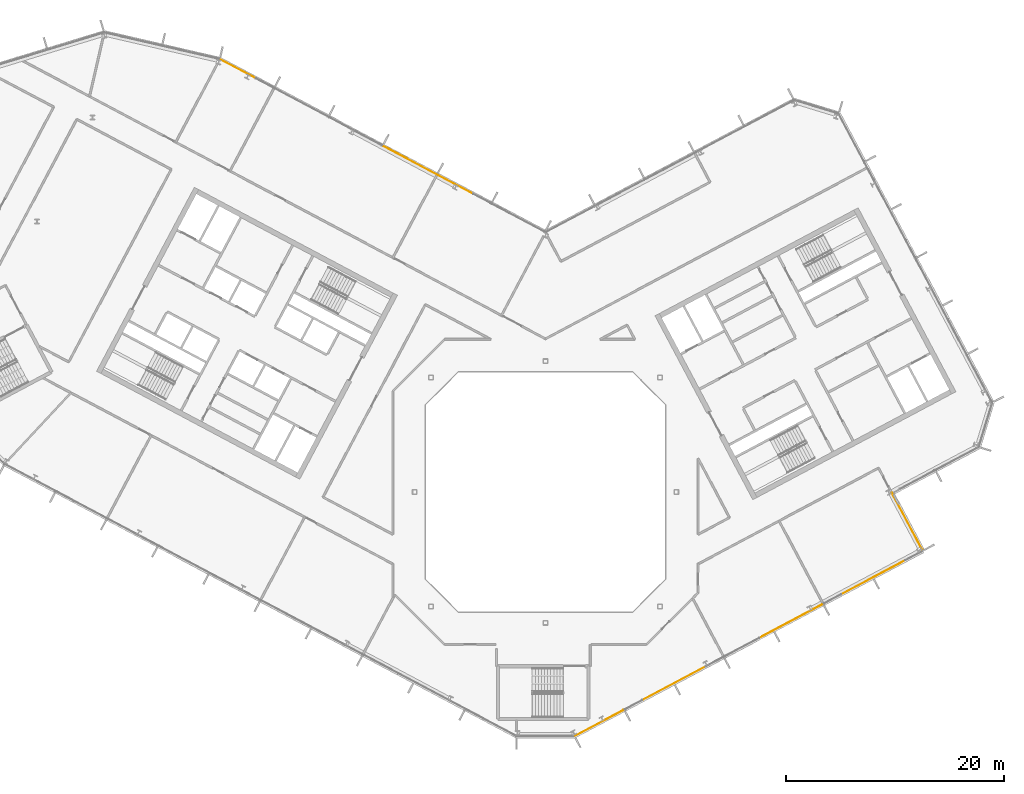
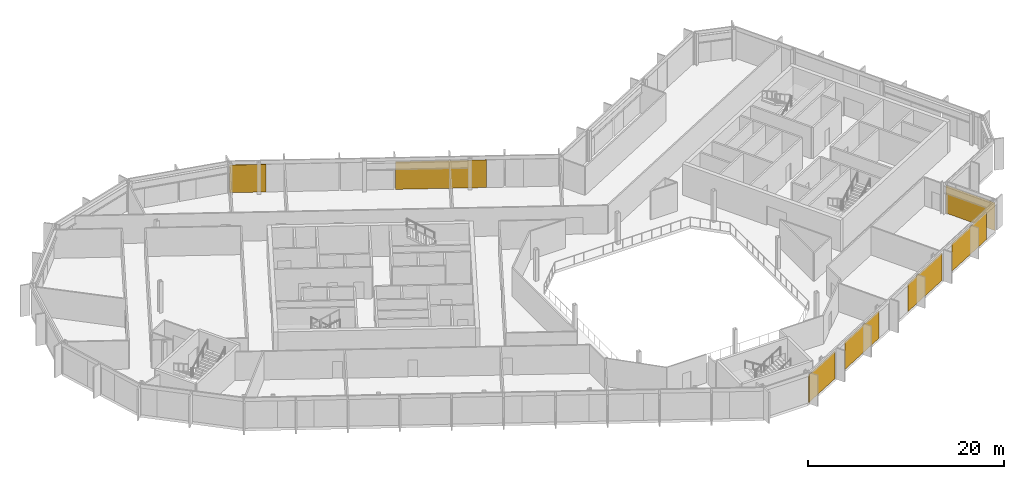
# One storey, part 24 of 26: 7 coverings, 3 elements without a shape of their own.
"""IFC4 building model written with IfcOpenShell, lengths in metres."""

from ifc_helpers import new_model, si_unit, direction, frame, origin, origin_2d, place, context, subcontext, project, spatial, rectangle, extrude, material, layer, layer_set, type_object, element, aggregate, save


model = new_model("IFC4")

# Units and contexts
model_context = context("Model", 3, precision=1e-05, world=origin(), true_north=direction((0.0, 1.0)))
body_context = subcontext(model_context, "Body", "Model", "MODEL_VIEW")
ifc_project = project(units=[si_unit("LENGTHUNIT", "METRE"), si_unit("AREAUNIT", "SQUARE_METRE"), si_unit("VOLUMEUNIT", "CUBIC_METRE"), si_unit("PLANEANGLEUNIT", "RADIAN"), si_unit("MASSUNIT", "GRAM", prefix="KILO")], contexts=[model_context])

# Site, building, storey
site_placement = place(None, origin())
site = spatial("IfcSite", under=ifc_project, at=site_placement, CompositionType="ELEMENT")
building_placement = place(site_placement, origin())
building = spatial("IfcBuilding", under=site, at=building_placement, Name="Cormorant Relay Tower", CompositionType="ELEMENT")
storey_placement = place(building_placement, frame((0.0, 0.0, 261.89990234375)))
storey = spatial("IfcBuildingStorey", under=building, at=storey_placement, Name="L58", CompositionType="ELEMENT", Elevation=261.89990234375)

# Curtain wall, coverings
ifc_material_1 = material(Name="Aluminium 6063-T6 anodised bronze", Category="aluminium")
ifc_layer_1 = layer(ifc_material_1, 0.199951171875)
ifc_layer_set_1 = layer_set([ifc_layer_1], Name="CW1 unitised bronze curtain wall with vertical fins")
curtain_wall_type = type_object("IfcCurtainWallType", Name="CW1 unitised bronze curtain wall with vertical fins", PredefinedType="NOTDEFINED", material=ifc_layer_set_1)
curtain_wall_1_placement = place(storey_placement, origin())
curtain_wall_1 = element("IfcCurtainWall", 1, at=curtain_wall_1_placement, inside=storey, type_object=curtain_wall_type, Name="CW1 curtain wall 2", PredefinedType="NOTDEFINED")
ifc_material_2 = material(Name="Pale bronze anodised aluminium insulated panel", Category="aluminium")
ifc_layer_2 = layer(ifc_material_2, 0.0400390625)
ifc_layer_set_2 = layer_set([ifc_layer_2], Name="CW1 pale bronze insulated panel 40")
covering_type = type_object("IfcCoveringType", Name="CW1 pale bronze insulated panel 40", PredefinedType="CLADDING", material=ifc_layer_set_2)
covering_1_placement = place(storey_placement, frame((4.939208984375, -21.180419921875, 0.0), z_axis=(0.0, 0.0, 1.0), x_axis=(0.882947592859, 0.469471562786, 0.0)))
covering_1 = element("IfcCovering", 2, at=covering_1_placement, type_object=covering_type, Name="CW1 panel S00", PredefinedType="CLADDING", context=body_context, shape_type="SweptSolid", body=[
    extrude(rectangle(XDim=5.0166015625, YDim=0.0400390625, at=origin_2d()), origin(), (0.0, 0.0, 1.0), 3.449951171875),
])
covering_2_placement = place(storey_placement, frame((11.78173828125, -17.5419921875, 0.0), z_axis=(0.0, 0.0, 1.0), x_axis=(0.882947592859, 0.469471562786, 0.0)))
covering_2 = element("IfcCovering", 3, at=covering_2_placement, type_object=covering_type, Name="CW1 panel S02", PredefinedType="CLADDING", context=body_context, shape_type="SweptSolid", body=[
    extrude(rectangle(XDim=6.5830078125, YDim=0.0400390625, at=origin_2d()), origin(), (0.0, 0.0, 1.0), 3.449951171875),
])
covering_3_placement = place(storey_placement, frame((22.49462890625, -11.845947265625, 0.0), z_axis=(0.0, 0.0, 1.0), x_axis=(0.882947592859, 0.469471562786, 0.0)))
covering_3 = element("IfcCovering", 4, at=covering_3_placement, type_object=covering_type, Name="CW1 panel S05", PredefinedType="CLADDING", context=body_context, shape_type="SweptSolid", body=[
    extrude(rectangle(XDim=6.5830078125, YDim=0.0400390625, at=origin_2d()), origin(), (0.0, 0.0, 1.0), 3.449951171875),
])
covering_4_placement = place(storey_placement, frame((30.06201171875, -7.822265625, 0.0), z_axis=(0.0, 0.0, 1.0), x_axis=(0.882947592859, 0.469471562786, 0.0)))
covering_4 = element("IfcCovering", 5, at=covering_4_placement, type_object=covering_type, Name="CW1 panel S07", PredefinedType="CLADDING", context=body_context, shape_type="SweptSolid", body=[
    extrude(rectangle(XDim=6.658203125, YDim=0.0400390625, at=origin_2d()), origin(), (0.0, 0.0, 1.0), 3.449951171875),
])
aggregate(curtain_wall_1, [covering_1, covering_2, covering_3, covering_4])

# Curtain wall, covering
curtain_wall_2_placement = place(storey_placement, origin())
curtain_wall_2 = element("IfcCurtainWall", 6, at=curtain_wall_2_placement, inside=storey, type_object=curtain_wall_type, Name="CW1 curtain wall 3", PredefinedType="NOTDEFINED")
covering_5_placement = place(storey_placement, frame((33.173095703125, -2.705322265625, 0.0), z_axis=(0.0, 0.0, 1.0), x_axis=(-0.469471562786, 0.882947592859, 0.0)))
covering_5 = element("IfcCovering", 7, at=covering_5_placement, type_object=covering_type, Name="CW1 panel S00", PredefinedType="CLADDING", context=body_context, shape_type="SweptSolid", body=[
    extrude(rectangle(XDim=5.925048828125, YDim=0.0400390625, at=origin_2d()), origin(), (0.0, 0.0, 1.0), 3.449951171875),
])
aggregate(curtain_wall_2, [covering_5])

# Curtain wall, coverings
curtain_wall_3_placement = place(storey_placement, origin())
curtain_wall_3 = element("IfcCurtainWall", 8, at=curtain_wall_3_placement, inside=storey, type_object=curtain_wall_type, Name="CW1 curtain wall 9", PredefinedType="NOTDEFINED")
covering_6_placement = place(storey_placement, frame((-10.7431640625, 29.518798828125, 0.0), z_axis=(0.0, 0.0, 1.0), x_axis=(-0.882947592859, 0.469471562786, 0.0)))
covering_6 = element("IfcCovering", 9, at=covering_6_placement, type_object=covering_type, Name="CW1 panel S03", PredefinedType="CLADDING", context=body_context, shape_type="SweptSolid", body=[
    extrude(rectangle(XDim=9.327880859375, YDim=0.0400390625, at=origin_2d()), origin(), (0.0, 0.0, 1.0), 3.449951171875),
])
covering_7_placement = place(storey_placement, frame((-28.20263671875, 38.80224609375, 0.0), z_axis=(0.0, 0.0, 1.0), x_axis=(-0.882947592859, 0.469471562786, 0.0)))
covering_7 = element("IfcCovering", 10, at=covering_7_placement, type_object=covering_type, Name="CW1 panel S07", PredefinedType="CLADDING", context=body_context, shape_type="SweptSolid", body=[
    extrude(rectangle(XDim=3.763916015625, YDim=0.0400390625, at=origin_2d()), origin(), (0.0, 0.0, 1.0), 3.449951171875),
])
aggregate(curtain_wall_3, [covering_6, covering_7])

save(model, "model.ifc")
